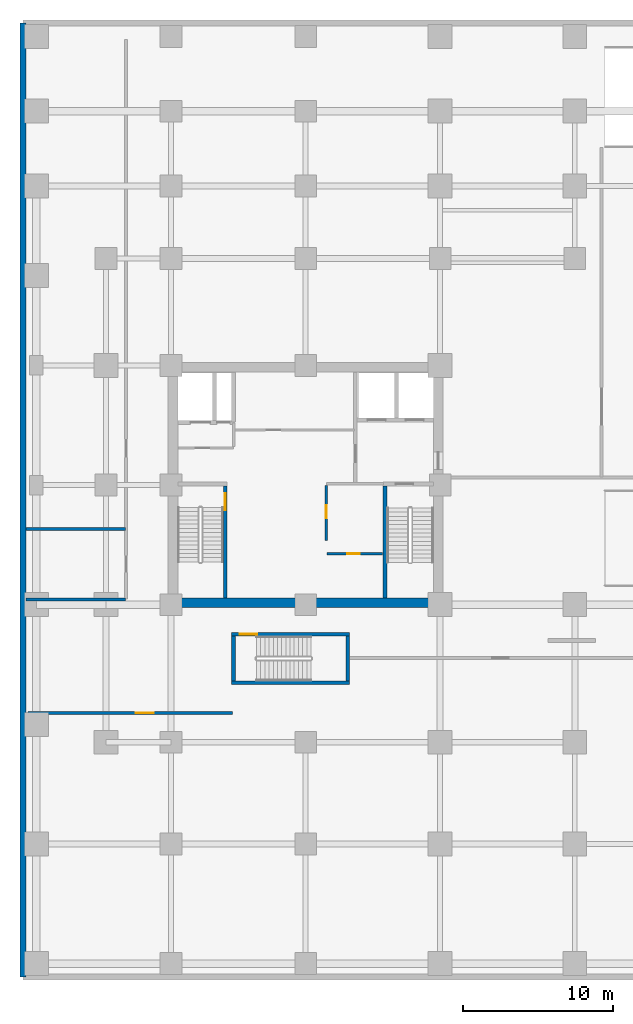
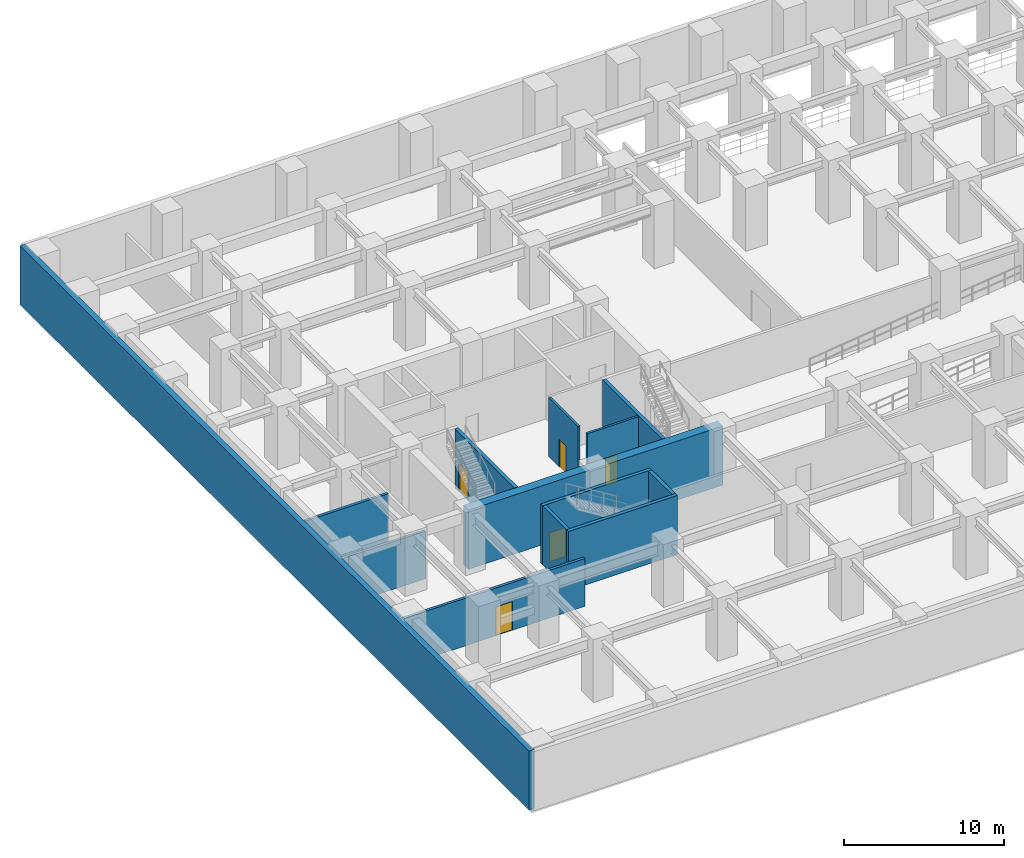
# One storey, part 4 of 9: 13 walls, 5 doors, 5 openings.
"""IFC4 building model written with IfcOpenShell, lengths in metres."""

from ifc_helpers import new_model, si_unit, direction, frame, frame_2d, origin, place, context, subcontext, project, spatial, rectangle, extrude, source, transform, mapped, material, layer, layer_set, type_object, element, fill, save


model = new_model("IFC4")

# Units and contexts
model_context = context("Model", 3, precision=1e-05, world=origin(), true_north=direction((0.0, 1.0)))
body_context = subcontext(model_context, "Body", "Model", "MODEL_VIEW")
ifc_project = project(units=[si_unit("LENGTHUNIT", "METRE"), si_unit("AREAUNIT", "SQUARE_METRE"), si_unit("VOLUMEUNIT", "CUBIC_METRE"), si_unit("PLANEANGLEUNIT", "RADIAN"), si_unit("MASSUNIT", "GRAM", prefix="KILO")], contexts=[model_context])

# Site, building, storey
site_placement = place(None, origin())
site = spatial("IfcSite", under=ifc_project, at=site_placement, CompositionType="ELEMENT")
building_placement = place(site_placement, origin())
building = spatial("IfcBuilding", under=site, at=building_placement, Name="Torre Montelarca", CompositionType="ELEMENT")
storey_placement = place(building_placement, frame((0.0, 0.0, -4.800048828125)))
storey = spatial("IfcBuildingStorey", under=building, at=storey_placement, Name="B1", CompositionType="ELEMENT", Elevation=-4.800048828125)

# Wall, opening, door
ifc_material_1 = material(Name="Concrete C40/50", Category="concrete")
ifc_layer_1 = layer(ifc_material_1, 0.25, Name="Concrete C40/50", Category="concrete")
ifc_layer_set_1 = layer_set([ifc_layer_1], Name="Concrete C40/50")
wall_type_1 = type_object("IfcWallType", Name="CW-SHAFT-250", PredefinedType="SHEAR", material=ifc_layer_set_1)
wall_1_placement = place(storey_placement, frame((12.625, 24.4599609375, 0.0), z_axis=(0.0, 0.0, 1.0), x_axis=(0.0, 1.0, 0.0)))
wall_1 = element("IfcWall", 1, at=wall_1_placement, inside=storey, type_object=wall_type_1, Name="B1 Core Shear Wall SH-ST1-E", PredefinedType="SHEAR", context=body_context, shape_type="SweptSolid", body=[
    extrude(rectangle(XDim=7.489990234375, YDim=0.25, at=frame_2d((3.7451171875, 0.0))), origin(), (0.0, 0.0, 1.0), 4.52001953125),
])
opening_1_placement = place(wall_1_placement, frame((5.85009765625, 0.0, 0.0)))
opening_1 = element("IfcOpeningElement", 2, at=opening_1_placement, cuts=wall_1, Name="Opening FD-ST1", PredefinedType="OPENING", context=body_context, shape_type="SweptSolid", body=[
    extrude(rectangle(XDim=1.14990234375, YDim=2.199951171875, at=frame_2d((0.574951171875, 1.10009765625))), frame((0.0, 0.135009765625, 0.0), z_axis=(0.0, -1.0, 0.0), x_axis=(1.0, 0.0, 0.0)), (0.0, 0.0, 1.0), 0.27001953125),
])
ifc_material_2 = material(Name="Galvanized steel fire door", Category="steel")
door_type_1 = type_object("IfcDoorType", Name="DR-STAIR-115", OperationType="NOTDEFINED", PredefinedType="DOOR", material=ifc_material_2)
shared_shape_1 = source(origin(), body_context, "Body", "SweptSolid", [
    extrude(rectangle(XDim=1.14990234375, YDim=2.199951171875, at=frame_2d((0.574951171875, 1.10009765625))), frame((0.0, 0.02490234375, 0.0), z_axis=(0.0, -1.0, 0.0), x_axis=(1.0, 0.0, 0.0)), (0.0, 0.0, 1.0), 0.050048828125),
])
door_1_placement = place(opening_1_placement, origin())
door_1 = element("IfcDoor", 3, at=door_1_placement, inside=storey, type_object=door_type_1, Name="B1 Exit Stair ST1 Fire Door", OperationType="SINGLE_SWING_RIGHT", OverallHeight=2.199951171875, OverallWidth=1.14990234375, PredefinedType="DOOR", context=body_context, shape_type="MappedRepresentation", body=[
    mapped(shared_shape_1, transform((0.0, 0.0, 0.0), scale=1.0)),
])
fill(opening_1, door_1)

# Walls
wall_2_placement = place(storey_placement, frame((23.31494140625, 24.4599609375, 0.0), z_axis=(0.0, 0.0, 1.0), x_axis=(0.0, 1.0, 0.0)))
element("IfcWall", 4, at=wall_2_placement, inside=storey, type_object=wall_type_1, Name="B1 Core Shear Wall SH-ST2-W", PredefinedType="SHEAR", context=body_context, shape_type="SweptSolid", body=[
    extrude(rectangle(XDim=7.489990234375, YDim=0.25, at=frame_2d((3.7451171875, 0.0))), origin(), (0.0, 0.0, 1.0), 4.52001953125),
])
for number, where, z_axis, x_axis, name in (
    (5, (13.175048828125, 18.89990234375, 0.0), (0.0, 0.0, 1.0), (0.0, 1.0, 0.0), "B1 Core Shear Wall SH-ST3-W"),
    (6, (20.824951171875, 18.89990234375, 0.0), (0.0, 0.0, 1.0), (0.0, 1.0, 0.0), "B1 Core Shear Wall SH-ST3-E"),
):
    element("IfcWall", number, at=place(storey_placement, frame(where, z_axis=z_axis, x_axis=x_axis)), inside=storey, type_object=wall_type_1, Name=name, PredefinedType="SHEAR", context=body_context, shape_type="SweptSolid", body=[
        extrude(rectangle(XDim=2.989990234375, YDim=0.25, at=frame_2d((1.4951171875, 0.0))), origin(), (0.0, 0.0, 1.0), 4.52001953125),
    ])
wall_3_placement = place(storey_placement, frame((13.050048828125, 18.77490234375, 0.0), z_axis=(0.0, 0.0, 1.0), x_axis=(1.0, 0.0, 0.0)))
element("IfcWall", 7, at=wall_3_placement, inside=storey, type_object=wall_type_1, Name="B1 Core Shear Wall SH-ST3-S", PredefinedType="SHEAR", context=body_context, shape_type="SweptSolid", body=[
    extrude(rectangle(XDim=7.89990234375, YDim=0.25, at=frame_2d((3.949951171875, 0.0))), origin(), (0.0, 0.0, 1.0), 4.52001953125),
])

# Wall, opening, door
wall_4_placement = place(storey_placement, frame((13.050048828125, 22.014892578125, 0.0), z_axis=(0.0, 0.0, 1.0), x_axis=(1.0, 0.0, 0.0)))
wall_4 = element("IfcWall", 8, at=wall_4_placement, inside=storey, type_object=wall_type_1, Name="B1 Core Shear Wall SH-ST3-N", PredefinedType="SHEAR", context=body_context, shape_type="SweptSolid", body=[
    extrude(rectangle(XDim=7.89990234375, YDim=0.25, at=frame_2d((3.949951171875, 0.0))), origin(), (0.0, 0.0, 1.0), 4.52001953125),
])
opening_2_placement = place(wall_4_placement, frame((0.550048828125, 0.0, 0.0)))
opening_2 = element("IfcOpeningElement", 9, at=opening_2_placement, cuts=wall_4, Name="Opening FD-ST1", PredefinedType="OPENING", context=body_context, shape_type="SweptSolid", body=[
    extrude(rectangle(XDim=1.14990234375, YDim=2.199951171875, at=frame_2d((0.574951171875, 1.10009765625))), frame((0.0, 0.135009765625, 0.0), z_axis=(0.0, -1.0, 0.0), x_axis=(1.0, 0.0, 0.0)), (0.0, 0.0, 1.0), 0.27001953125),
])
door_2_placement = place(opening_2_placement, origin())
door_2 = element("IfcDoor", 10, at=door_2_placement, inside=storey, type_object=door_type_1, Name="B1 Exit Stair ST3 Fire Door", OperationType="SINGLE_SWING_LEFT", OverallHeight=2.199951171875, OverallWidth=1.14990234375, PredefinedType="DOOR", context=body_context, shape_type="MappedRepresentation", body=[
    mapped(shared_shape_1, transform((0.0, 0.0, 0.0), scale=1.0)),
])
fill(opening_2, door_2)

# Walls
ifc_material_3 = material(Name="Concrete C70/85", Category="concrete")
ifc_layer_2 = layer(ifc_material_3, 0.64990234375, Name="Concrete C70/85", Category="concrete")
ifc_layer_set_2 = layer_set([ifc_layer_2], Name="Concrete C70/85")
wall_type_2 = type_object("IfcWallType", Name="CW-SHEAR-650", PredefinedType="SHEAR", material=ifc_layer_set_2)
wall_5_placement = place(storey_placement, frame((8.800048828125, 24.125, 0.0), z_axis=(0.0, 0.0, 1.0), x_axis=(1.0, 0.0, 0.0)))
element("IfcWall", 11, at=wall_5_placement, inside=storey, type_object=wall_type_2, Name="B1 Core Shear Wall CW-S1", PredefinedType="SHEAR", context=body_context, shape_type="SweptSolid", body=[
    extrude(rectangle(XDim=18.39990234375, YDim=0.64990234375, at=frame_2d((9.199951171875, 0.0))), origin(), (0.0, 0.0, 1.0), 4.52001953125),
])
ifc_layer_3 = layer(ifc_material_1, 0.39990234375, Name="Concrete C40/50", Category="concrete")
ifc_layer_set_3 = layer_set([ifc_layer_3], Name="Concrete C40/50")
wall_type_3 = type_object("IfcWallType", Name="EW-RET-400", PredefinedType="USERDEFINED", material=ifc_layer_set_3)
wall_6_placement = place(storey_placement, frame((-0.89990234375, 62.89990234375, 0.0), z_axis=(0.0, 0.0, 1.0), x_axis=(0.0, -1.0, 0.0)))
element("IfcWall", 12, at=wall_6_placement, inside=storey, type_object=wall_type_3, Name="B1 Perimeter Basement Retaining Wall 04", ObjectType="RETAINING WALL", PredefinedType="USERDEFINED", context=body_context, shape_type="SweptSolid", body=[
    extrude(rectangle(XDim=63.7998046875, YDim=0.39990234375, at=frame_2d((31.89990234375, 0.0))), origin(), (0.0, 0.0, 1.0), 4.52001953125),
])

# Wall, opening, door
ifc_material_4 = material(Name="Gypsum plasterboard on steel stud", Category="steel")
ifc_layer_4 = layer(ifc_material_4, 0.159912109375, Name="Gypsum plasterboard on steel stud", Category="steel")
ifc_layer_set_4 = layer_set([ifc_layer_4], Name="Gypsum plasterboard on steel stud")
wall_type_4 = type_object("IfcWallType", Name="PW-FIRE-160", PredefinedType="PARTITIONING", material=ifc_layer_set_4)
wall_7_placement = place(storey_placement, frame((19.3798828125, 28.2900390625, 0.0), z_axis=(0.0, 0.0, 1.0), x_axis=(0.0, 1.0, 0.0)))
wall_7 = element("IfcWall", 13, at=wall_7_placement, inside=storey, type_object=wall_type_4, Name="B1 Interior Partition CW-B1-SEW", PredefinedType="PARTITIONING", context=body_context, shape_type="SweptSolid", body=[
    extrude(rectangle(XDim=3.669921875, YDim=0.159912109375, at=frame_2d((1.8349609375, 0.0))), origin(), (0.0, 0.0, 1.0), 4.52001953125),
])
opening_3_placement = place(wall_7_placement, frame((1.5, 0.0, 0.0)))
opening_3 = element("IfcOpeningElement", 14, at=opening_3_placement, cuts=wall_7, Name="Opening FD-085", PredefinedType="OPENING", context=body_context, shape_type="SweptSolid", body=[
    extrude(rectangle(XDim=0.85009765625, YDim=2.10009765625, at=frame_2d((0.425048828125, 1.050048828125))), frame((0.0, 0.08984375, 0.0), z_axis=(0.0, -1.0, 0.0), x_axis=(1.0, 0.0, 0.0)), (0.0, 0.0, 1.0), 0.179931640625),
])
ifc_material_5 = material(Name="Steel riser access fire door", Category="steel")
door_type_2 = type_object("IfcDoorType", Name="DR-RISER-085", OperationType="NOTDEFINED", PredefinedType="DOOR", material=ifc_material_5)
shared_shape_2 = source(origin(), body_context, "Body", "SweptSolid", [
    extrude(rectangle(XDim=0.85009765625, YDim=2.10009765625, at=frame_2d((0.425048828125, 1.050048828125))), frame((0.0, 0.02490234375, 0.0), z_axis=(0.0, -1.0, 0.0), x_axis=(1.0, 0.0, 0.0)), (0.0, 0.0, 1.0), 0.050048828125),
])
door_3_placement = place(opening_3_placement, origin())
door_3 = element("IfcDoor", 15, at=door_3_placement, inside=storey, type_object=door_type_2, Name="B1 Interior Door 04", OperationType="SINGLE_SWING_RIGHT", OverallHeight=2.10009765625, OverallWidth=0.85009765625, PredefinedType="DOOR", context=body_context, shape_type="MappedRepresentation", body=[
    mapped(shared_shape_2, transform((0.0, 0.0, 0.0), scale=1.0)),
])
fill(opening_3, door_3)

wall_8_placement = place(storey_placement, frame((19.419921875, 27.39990234375, 0.0), z_axis=(0.0, 0.0, 1.0), x_axis=(1.0, 0.0, 0.0)))
wall_8 = element("IfcWall", 16, at=wall_8_placement, inside=storey, type_object=wall_type_4, Name="B1 Interior Partition CW-B1-SEM1", PredefinedType="PARTITIONING", context=body_context, shape_type="SweptSolid", body=[
    extrude(rectangle(XDim=3.719970703125, YDim=0.159912109375, at=frame_2d((1.85986328125, 0.0))), origin(), (0.0, 0.0, 1.0), 4.52001953125),
])
opening_4_placement = place(wall_8_placement, frame((1.35009765625, 0.0, 0.0)))
opening_4 = element("IfcOpeningElement", 17, at=opening_4_placement, cuts=wall_8, Name="Opening FD-085", PredefinedType="OPENING", context=body_context, shape_type="SweptSolid", body=[
    extrude(rectangle(XDim=0.85009765625, YDim=2.10009765625, at=frame_2d((0.425048828125, 1.050048828125))), frame((0.0, 0.08984375, 0.0), z_axis=(0.0, -1.0, 0.0), x_axis=(1.0, 0.0, 0.0)), (0.0, 0.0, 1.0), 0.179931640625),
])
door_4_placement = place(opening_4_placement, origin())
door_4 = element("IfcDoor", 18, at=door_4_placement, inside=storey, type_object=door_type_2, Name="B1 Interior Door 03", OperationType="SINGLE_SWING_LEFT", OverallHeight=2.10009765625, OverallWidth=0.85009765625, PredefinedType="DOOR", context=body_context, shape_type="MappedRepresentation", body=[
    mapped(shared_shape_2, transform((0.0, 0.0, 0.0), scale=1.0)),
])
fill(opening_4, door_4)

# Walls
ifc_material_6 = material(Name="Gypsum fireboard and rockwool on steel stud", Category="steel")
ifc_layer_5 = layer(ifc_material_6, 0.199951171875, Name="Gypsum fireboard and rockwool on steel stud", Category="steel")
ifc_layer_set_5 = layer_set([ifc_layer_5], Name="Gypsum fireboard and rockwool on steel stud")
wall_type_5 = type_object("IfcWallType", Name="PW-FIRE-200", PredefinedType="SOLIDWALL", material=ifc_layer_set_5)
wall_9_placement = place(storey_placement, frame((-0.699951171875, 24.35009765625, 0.0), z_axis=(0.0, 0.0, 1.0), x_axis=(1.0, 0.0, 0.0)))
element("IfcWall", 19, at=wall_9_placement, inside=storey, type_object=wall_type_5, Name="B1 Interior Partition W-B1-P0S", PredefinedType="SOLIDWALL", context=body_context, shape_type="SweptSolid", body=[
    extrude(rectangle(XDim=6.659912109375, YDim=0.199951171875, at=frame_2d((3.330078125, 0.0))), origin(), (0.0, 0.0, 1.0), 3.649658203125),
])
wall_10_placement = place(storey_placement, frame((-0.699951171875, 29.050048828125, 0.0), z_axis=(0.0, 0.0, 1.0), x_axis=(1.0, 0.0, 0.0)))
element("IfcWall", 20, at=wall_10_placement, inside=storey, type_object=wall_type_5, Name="B1 Interior Partition W-B1-P1", PredefinedType="SOLIDWALL", context=body_context, shape_type="SweptSolid", body=[
    extrude(rectangle(XDim=6.659912109375, YDim=0.199951171875, at=frame_2d((3.330078125, 0.0))), origin(), (0.0, 0.0, 1.0), 3.655029296875),
])

# Wall, opening, door
wall_11_placement = place(storey_placement, frame((-0.56005859375, 16.75, 0.0), z_axis=(0.0, 0.0, 1.0), x_axis=(1.0, 0.0, 0.0)))
wall_11 = element("IfcWall", 21, at=wall_11_placement, inside=storey, type_object=wall_type_5, Name="B1 Interior Partition W-B1-P3", PredefinedType="SOLIDWALL", context=body_context, shape_type="SweptSolid", body=[
    extrude(rectangle(XDim=13.670166015625, YDim=0.199951171875, at=frame_2d((6.8349609375, 0.0))), origin(), (0.0, 0.0, 1.0), 3.649658203125),
])
opening_5_placement = place(wall_11_placement, frame((7.199951171875, 0.0, 0.0)))
opening_5 = element("IfcOpeningElement", 22, at=opening_5_placement, cuts=wall_11, Name="Opening FD-120", PredefinedType="OPENING", context=body_context, shape_type="SweptSolid", body=[
    extrude(rectangle(XDim=1.199951171875, YDim=2.199951171875, at=frame_2d((0.60009765625, 1.10009765625))), frame((0.0, 0.10986328125, 0.0), z_axis=(0.0, -1.0, 0.0), x_axis=(1.0, 0.0, 0.0)), (0.0, 0.0, 1.0), 0.219970703125),
])
door_type_3 = type_object("IfcDoorType", Name="DR-FIRE-120", OperationType="NOTDEFINED", PredefinedType="DOOR", material=ifc_material_2)
shared_shape_3 = source(origin(), body_context, "Body", "SweptSolid", [
    extrude(rectangle(XDim=1.199951171875, YDim=2.199951171875, at=frame_2d((0.60009765625, 1.10009765625))), frame((0.0, 0.02490234375, 0.0), z_axis=(0.0, -1.0, 0.0), x_axis=(1.0, 0.0, 0.0)), (0.0, 0.0, 1.0), 0.050048828125),
])
door_5_placement = place(opening_5_placement, origin())
door_5 = element("IfcDoor", 23, at=door_5_placement, inside=storey, type_object=door_type_3, Name="B1 Interior Door 07", OperationType="SINGLE_SWING_RIGHT", OverallHeight=2.199951171875, OverallWidth=1.199951171875, PredefinedType="DOOR", context=body_context, shape_type="MappedRepresentation", body=[
    mapped(shared_shape_3, transform((0.0, 0.0, 0.0), scale=1.0)),
])
fill(opening_5, door_5)

save(model, "model.ifc")
